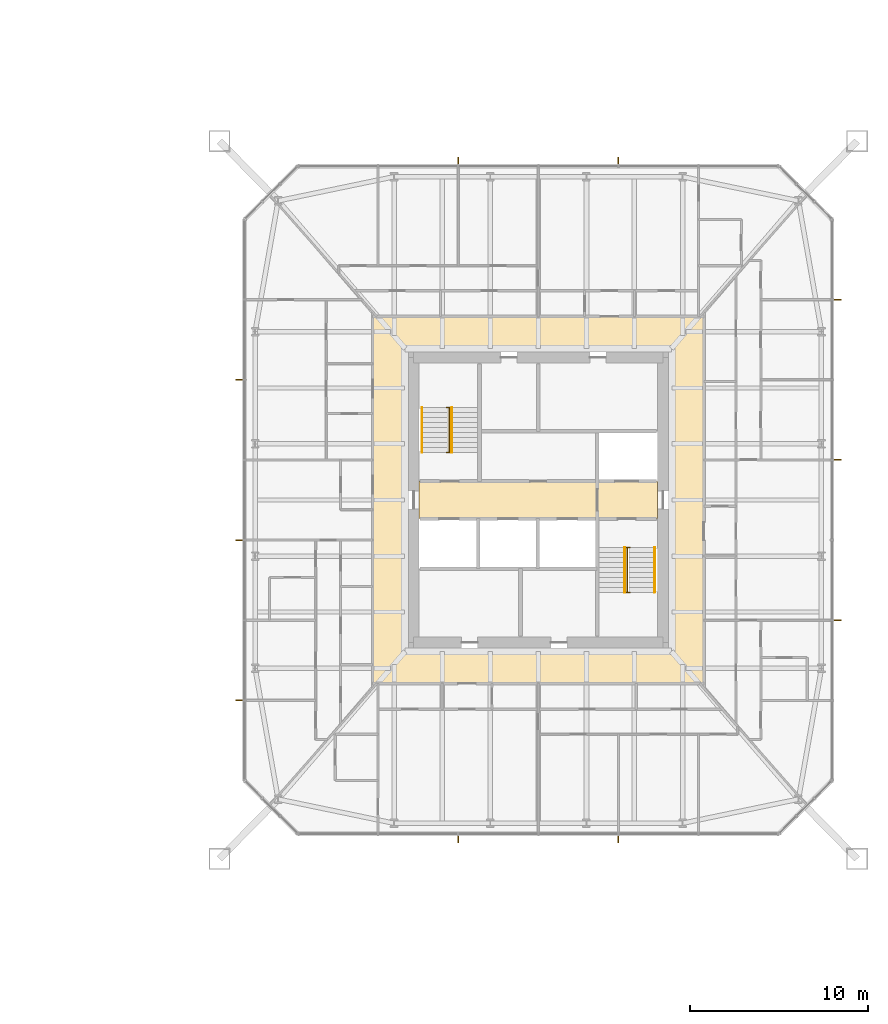
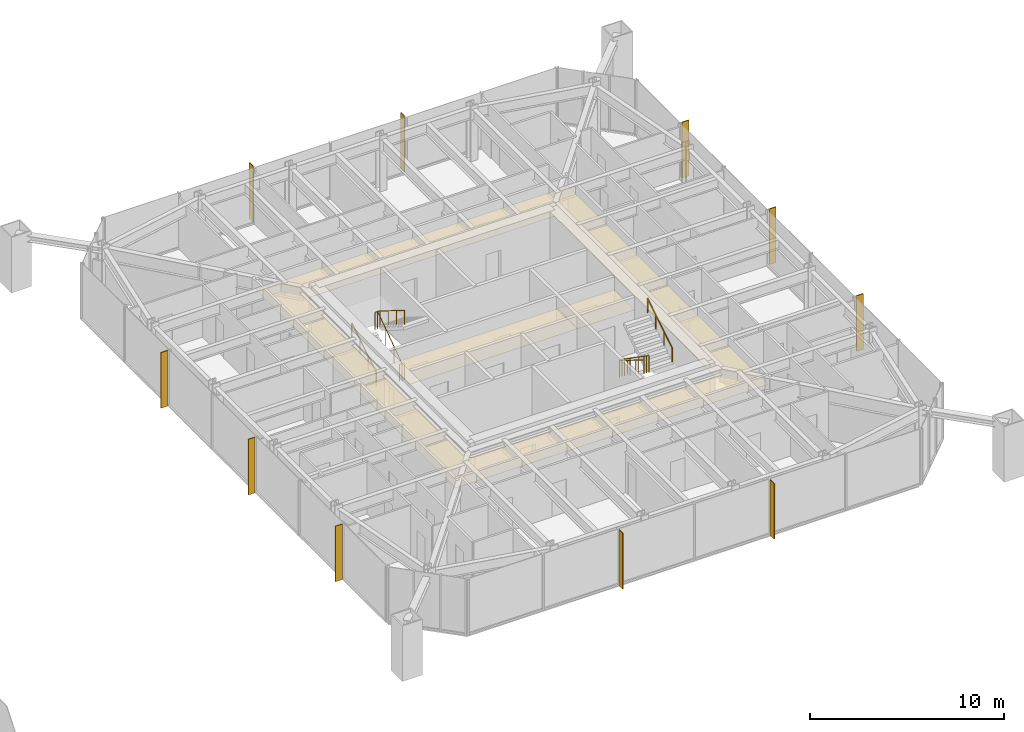
# One storey, part 26 of 26: 10 shading devices, 6 railings, 3 coverings.
"""IFC4 building model written with IfcOpenShell, lengths in metres."""

from ifc_helpers import new_model, si_unit, direction, frame, origin, origin_2d, place, context, subcontext, project, spatial, polyline, rectangle, circle, outline, extrude, material, layer, layer_set, constituent, constituent_set, type_object, element, save


model = new_model("IFC4")

# Units and contexts
model_context = context("Model", 3, precision=1e-05, world=origin(), true_north=direction((0.0, 1.0)))
body_context = subcontext(model_context, "Body", "Model", "MODEL_VIEW")
ifc_project = project(units=[si_unit("LENGTHUNIT", "METRE"), si_unit("AREAUNIT", "SQUARE_METRE"), si_unit("VOLUMEUNIT", "CUBIC_METRE"), si_unit("PLANEANGLEUNIT", "RADIAN"), si_unit("MASSUNIT", "GRAM", prefix="KILO")], contexts=[model_context])

# Site, building, storey
site_placement = place(None, origin())
site = spatial("IfcSite", under=ifc_project, at=site_placement, CompositionType="ELEMENT")
building_placement = place(site_placement, origin())
building = spatial("IfcBuilding", under=site, at=building_placement, Name="Iwan Alto Co-Living Towers", CompositionType="ELEMENT")
storey_placement = place(building_placement, frame((0.0, 0.0, 50.0)))
storey = spatial("IfcBuildingStorey", under=building, at=storey_placement, Name="L13", CompositionType="ELEMENT", Elevation=50.0)

# Coverings
ifc_material_1 = material(Name="Mineral fibre acoustic tiles on steel grid", Category="steel")
ifc_layer_1 = layer(ifc_material_1, 0.02001953125)
ifc_layer_set_1 = layer_set([ifc_layer_1], Name="ACOUSTIC TILE CEILING 20")
covering_type_1 = type_object("IfcCoveringType", Name="ACOUSTIC TILE CEILING 20", PredefinedType="CEILING", material=ifc_layer_set_1)
covering_1_placement = place(storey_placement, frame((0.0, 0.0, 2.60009765625)))
element("IfcCovering", 1, at=covering_1_placement, inside=storey, type_object=covering_type_1, Name="Ceiling Lift lobby L13", PredefinedType="CEILING", context=body_context, shape_type="SweptSolid", body=[
    extrude(outline(polyline([(56.300048828125, -1.050048828125), (56.300048828125, 1.050048828125), (66.300048828125, 1.050048828125), (66.300048828125, -1.050048828125), (56.300048828125, -1.050048828125)])), origin(), (0.0, 0.0, 1.0), 0.02001953125),
])
covering_2_placement = place(storey_placement, frame((0.0, 0.0, 2.60009765625)))
element("IfcCovering", 2, at=covering_2_placement, inside=storey, type_object=covering_type_1, Name="Ceiling Firefighting lobby L13", PredefinedType="CEILING", context=body_context, shape_type="SweptSolid", body=[
    extrude(outline(polyline([(66.300048828125, -1.050048828125), (66.300048828125, 1.050048828125), (69.699951171875, 1.050048828125), (69.699951171875, -1.050048828125), (66.300048828125, -1.050048828125)])), origin(), (0.0, 0.0, 1.0), 0.02001953125),
])

# Shading devices
ifc_material_2 = material(Name="Aluminium 6063-T6 bronze anodised", Category="aluminium")
ifc_layer_2 = layer(ifc_material_2, 0.050048828125)
ifc_layer_set_2 = layer_set([ifc_layer_2], Name="BRONZE FIN 50X400")
shading_device_type = type_object("IfcShadingDeviceType", Name="BRONZE FIN 50X400", PredefinedType="USERDEFINED", material=ifc_layer_set_2)
for number, where, z_axis, x_axis, name in (
    (3, (58.5, -19.050048828125, 0.0), (0.0, 0.0, 1.0), (1.0, 0.0, 0.0), "Bronze fin L13"),
    (4, (67.5, -19.050048828125, 0.0), (0.0, 0.0, 1.0), (1.0, 0.0, 0.0), "Bronze fin L13"),
    (5, (79.800048828125, -6.75, 0.0), (0.0, 0.0, 1.0), (0.0, 1.0, 0.0), "Bronze fin L13"),
    (6, (79.800048828125, 2.25, 0.0), (0.0, 0.0, 1.0), (0.0, 1.0, 0.0), "Bronze fin L13"),
    (7, (79.800048828125, 11.25, 0.0), (0.0, 0.0, 1.0), (0.0, 1.0, 0.0), "Bronze fin L13"),
    (8, (67.5, 19.050048828125, 0.0), (0.0, 0.0, 1.0), (-1.0, 0.0, 0.0), "Bronze fin L13"),
    (9, (58.5, 19.050048828125, 0.0), (0.0, 0.0, 1.0), (-1.0, 0.0, 0.0), "Bronze fin L13"),
    (10, (46.199951171875, 6.75, 0.0), (0.0, 0.0, 1.0), (0.0, -1.0, 0.0), "Bronze fin L13"),
    (11, (46.199951171875, -2.25, 0.0), (0.0, 0.0, 1.0), (0.0, -1.0, 0.0), "Bronze fin L13"),
    (12, (46.199951171875, -11.25, 0.0), (0.0, 0.0, 1.0), (0.0, -1.0, 0.0), "Bronze fin L13"),
):
    element("IfcShadingDevice", number, at=place(storey_placement, frame(where, z_axis=z_axis, x_axis=x_axis)), inside=storey, type_object=shading_device_type, Name=name, ObjectType="LOUVER", PredefinedType="USERDEFINED", context=body_context, shape_type="SweptSolid", body=[
        extrude(rectangle(XDim=0.050048828125, YDim=0.39990234375, at=origin_2d()), origin(), (0.0, 0.0, 1.0), 3.5),
    ])

# Railings
ifc_material_3 = material(Name="Steel ASTM A500 Gr C", Category="steel")
ifc_constituent_1 = constituent(ifc_material_3, Name="Rails and posts", Category="Framing")
ifc_material_4 = material(Name="Steel ASTM A36", Category="steel")
ifc_constituent_2 = constituent(ifc_material_4, Name="Bar infill", Category="Infill")
ifc_constituent_set = constituent_set(constituents=[ifc_constituent_1, ifc_constituent_2], Name="STAIR GUARD 1100")
railing_type_1 = type_object("IfcRailingType", Name="STAIR GUARD 1100", PredefinedType="GUARDRAIL", material=ifc_constituent_set)
railing_1_placement = place(storey_placement, frame((58.0, 2.669921875, 0.0)))
element("IfcRailing", 13, at=railing_1_placement, inside=storey, type_object=railing_type_1, Name="Stair T2-S1 well guard L13", PredefinedType="GUARDRAIL", context=body_context, shape_type="SweptSolid", body=[
    extrude(circle(Radius=0.02392578125, at=origin_2d()), frame((0.0, 0.0, 1.076171875), z_axis=(0.0, 0.821372036852, 0.570392826987), x_axis=(-1.0, 0.0, 0.0)), (0.0, 0.0, 1.0), 3.068115234375),
    extrude(circle(Radius=0.02392578125, at=origin_2d()), frame((-0.14990234375, 0.0, 1.076171875), z_axis=(1.0, 0.0, 0.0), x_axis=(0.0, 1.0, 0.0)), (0.0, 0.0, 1.0), 0.2998046875),
    extrude(circle(Radius=0.02392578125, at=origin_2d()), frame((-0.14990234375, 2.52001953125, 2.826171875), z_axis=(1.0, 0.0, 0.0), x_axis=(0.0, 1.0, 0.0)), (0.0, 0.0, 1.0), 0.2998046875),
    extrude(circle(Radius=0.02099609375, at=origin_2d()), origin(), (0.0, 0.0, 1.0), 1.052001953125),
    extrude(circle(Radius=0.02099609375, at=origin_2d()), frame((0.0, 0.840087890625, 0.583251953125)), (0.0, 0.0, 1.0), 1.052001953125),
    extrude(circle(Radius=0.02099609375, at=origin_2d()), frame((0.0, 1.679931640625, 1.166748046875)), (0.0, 0.0, 1.0), 1.052001953125),
    extrude(circle(Radius=0.02099609375, at=origin_2d()), frame((0.0, 2.52001953125, 1.75)), (0.0, 0.0, 1.0), 1.052001953125),
    extrude(circle(Radius=0.02099609375, at=origin_2d()), frame((-0.14990234375, 0.0, 0.0)), (0.0, 0.0, 1.0), 1.052001953125),
    extrude(circle(Radius=0.02099609375, at=origin_2d()), frame((0.14990234375, 0.0, 0.0)), (0.0, 0.0, 1.0), 1.052001953125),
    extrude(circle(Radius=0.02099609375, at=origin_2d()), frame((-0.14990234375, 2.52001953125, 1.75)), (0.0, 0.0, 1.0), 1.052001953125),
    extrude(circle(Radius=0.02099609375, at=origin_2d()), frame((0.14990234375, 2.52001953125, 1.75)), (0.0, 0.0, 1.0), 1.052001953125),
])
railing_2_placement = place(storey_placement, frame((68.0, -2.669921875, 0.0)))
element("IfcRailing", 14, at=railing_2_placement, inside=storey, type_object=railing_type_1, Name="Stair T2-S2 well guard L13", PredefinedType="GUARDRAIL", context=body_context, shape_type="SweptSolid", body=[
    extrude(circle(Radius=0.02392578125, at=origin_2d()), frame((0.0, 0.0, 1.076171875), z_axis=(0.0, -0.821372036852, 0.570392826987), x_axis=(1.0, 0.0, 0.0)), (0.0, 0.0, 1.0), 3.068115234375),
    extrude(circle(Radius=0.02392578125, at=origin_2d()), frame((-0.14990234375, 0.0, 1.076171875), z_axis=(1.0, 0.0, 0.0), x_axis=(0.0, 1.0, 0.0)), (0.0, 0.0, 1.0), 0.2998046875),
    extrude(circle(Radius=0.02392578125, at=origin_2d()), frame((-0.14990234375, -2.52001953125, 2.826171875), z_axis=(1.0, 0.0, 0.0), x_axis=(0.0, 1.0, 0.0)), (0.0, 0.0, 1.0), 0.2998046875),
    extrude(circle(Radius=0.02099609375, at=origin_2d()), origin(), (0.0, 0.0, 1.0), 1.052001953125),
    extrude(circle(Radius=0.02099609375, at=origin_2d()), frame((0.0, -0.840087890625, 0.583251953125)), (0.0, 0.0, 1.0), 1.052001953125),
    extrude(circle(Radius=0.02099609375, at=origin_2d()), frame((0.0, -1.679931640625, 1.166748046875)), (0.0, 0.0, 1.0), 1.052001953125),
    extrude(circle(Radius=0.02099609375, at=origin_2d()), frame((0.0, -2.52001953125, 1.75)), (0.0, 0.0, 1.0), 1.052001953125),
    extrude(circle(Radius=0.02099609375, at=origin_2d()), frame((-0.14990234375, 0.0, 0.0)), (0.0, 0.0, 1.0), 1.052001953125),
    extrude(circle(Radius=0.02099609375, at=origin_2d()), frame((0.14990234375, 0.0, 0.0)), (0.0, 0.0, 1.0), 1.052001953125),
    extrude(circle(Radius=0.02099609375, at=origin_2d()), frame((-0.14990234375, -2.52001953125, 1.75)), (0.0, 0.0, 1.0), 1.052001953125),
    extrude(circle(Radius=0.02099609375, at=origin_2d()), frame((0.14990234375, -2.52001953125, 1.75)), (0.0, 0.0, 1.0), 1.052001953125),
])
ifc_material_5 = material(Name="Steel ASTM A500 Gr C", Category="steel")
railing_type_2 = type_object("IfcRailingType", Name="STAIR HANDRAIL 900", PredefinedType="HANDRAIL", material=ifc_material_5)
railing_3_placement = place(storey_placement, frame((56.469970703125, 2.669921875, 0.175048828125)))
element("IfcRailing", 15, at=railing_3_placement, inside=storey, type_object=railing_type_2, Name="Stair T2-S1 handrail 1 L13", PredefinedType="HANDRAIL", context=body_context, shape_type="SweptSolid", body=[
    extrude(circle(Radius=0.02392578125, at=origin_2d()), frame((0.0, 0.0, 0.8759765625), z_axis=(0.0, 0.848007534815, 0.529984170421), x_axis=(-1.0, 0.0, 0.0)), (0.0, 0.0, 1.0), 2.9716796875),
    extrude(circle(Radius=0.02099609375, at=origin_2d()), origin(), (0.0, 0.0, 1.0), 0.851806640625),
    extrude(circle(Radius=0.02099609375, at=origin_2d()), frame((0.0, 0.840087890625, 0.52490234375)), (0.0, 0.0, 1.0), 0.851806640625),
    extrude(circle(Radius=0.02099609375, at=origin_2d()), frame((0.0, 1.679931640625, 1.050048828125)), (0.0, 0.0, 1.0), 0.851806640625),
    extrude(circle(Radius=0.02099609375, at=origin_2d()), frame((0.0, 2.52001953125, 1.574951171875)), (0.0, 0.0, 1.0), 0.851806640625),
])
for number, where, name in (
    (16, (58.14990234375, 5.18994140625, 1.925048828125), "Stair T2-S1 handrail 2 L13"),
    (17, (67.85009765625, -2.669921875, 0.175048828125), "Stair T2-S2 handrail 1 L13"),
):
    element("IfcRailing", number, at=place(storey_placement, frame(where)), inside=storey, type_object=railing_type_2, Name=name, PredefinedType="HANDRAIL", context=body_context, shape_type="SweptSolid", body=[
        extrude(circle(Radius=0.02392578125, at=origin_2d()), frame((0.0, 0.0, 0.8759765625), z_axis=(0.0, -0.848007534815, 0.529984170421), x_axis=(1.0, 0.0, 0.0)), (0.0, 0.0, 1.0), 2.9716796875),
        extrude(circle(Radius=0.02099609375, at=origin_2d()), origin(), (0.0, 0.0, 1.0), 0.851806640625),
        extrude(circle(Radius=0.02099609375, at=origin_2d()), frame((0.0, -0.840087890625, 0.52490234375)), (0.0, 0.0, 1.0), 0.851806640625),
        extrude(circle(Radius=0.02099609375, at=origin_2d()), frame((0.0, -1.679931640625, 1.050048828125)), (0.0, 0.0, 1.0), 0.851806640625),
        extrude(circle(Radius=0.02099609375, at=origin_2d()), frame((0.0, -2.52001953125, 1.574951171875)), (0.0, 0.0, 1.0), 0.851806640625),
    ])
railing_4_placement = place(storey_placement, frame((69.530029296875, -5.18994140625, 1.925048828125)))
element("IfcRailing", 18, at=railing_4_placement, inside=storey, type_object=railing_type_2, Name="Stair T2-S2 handrail 2 L13", PredefinedType="HANDRAIL", context=body_context, shape_type="SweptSolid", body=[
    extrude(circle(Radius=0.02392578125, at=origin_2d()), frame((0.0, 0.0, 0.8759765625), z_axis=(0.0, 0.848007534815, 0.529984170421), x_axis=(-1.0, 0.0, 0.0)), (0.0, 0.0, 1.0), 2.9716796875),
    extrude(circle(Radius=0.02099609375, at=origin_2d()), origin(), (0.0, 0.0, 1.0), 0.851806640625),
    extrude(circle(Radius=0.02099609375, at=origin_2d()), frame((0.0, 0.840087890625, 0.52490234375)), (0.0, 0.0, 1.0), 0.851806640625),
    extrude(circle(Radius=0.02099609375, at=origin_2d()), frame((0.0, 1.679931640625, 1.050048828125)), (0.0, 0.0, 1.0), 0.851806640625),
    extrude(circle(Radius=0.02099609375, at=origin_2d()), frame((0.0, 2.52001953125, 1.574951171875)), (0.0, 0.0, 1.0), 0.851806640625),
])

# Covering
ifc_material_6 = material(Name="Gypsum plasterboard on steel grid", Category="steel")
ifc_layer_3 = layer(ifc_material_6, 0.014892578125)
ifc_layer_set_3 = layer_set([ifc_layer_3], Name="SUSPENDED PLASTERBOARD CEILING 15")
covering_type_2 = type_object("IfcCoveringType", Name="SUSPENDED PLASTERBOARD CEILING 15", PredefinedType="CEILING", material=ifc_layer_set_3)
covering_3_placement = place(storey_placement, frame((0.0, 0.0, 2.60009765625)))
element("IfcCovering", 19, at=covering_3_placement, inside=storey, type_object=covering_type_2, Name="Ceiling Corridor L13", PredefinedType="CEILING", context=body_context, shape_type="SweptSolid", body=[
    extrude(outline(polyline([(53.699951171875, 10.300048828125), (72.300048828125, 10.300048828125), (72.300048828125, -10.300048828125), (53.699951171875, -10.300048828125), (53.699951171875, 10.300048828125)]), holes=[polyline([(55.699951171875, 8.300048828125), (55.699951171875, -8.300048828125), (70.300048828125, -8.300048828125), (70.300048828125, 8.300048828125), (55.699951171875, 8.300048828125)])]), origin(), (0.0, 0.0, 1.0), 0.014892578125),
])

save(model, "model.ifc")
